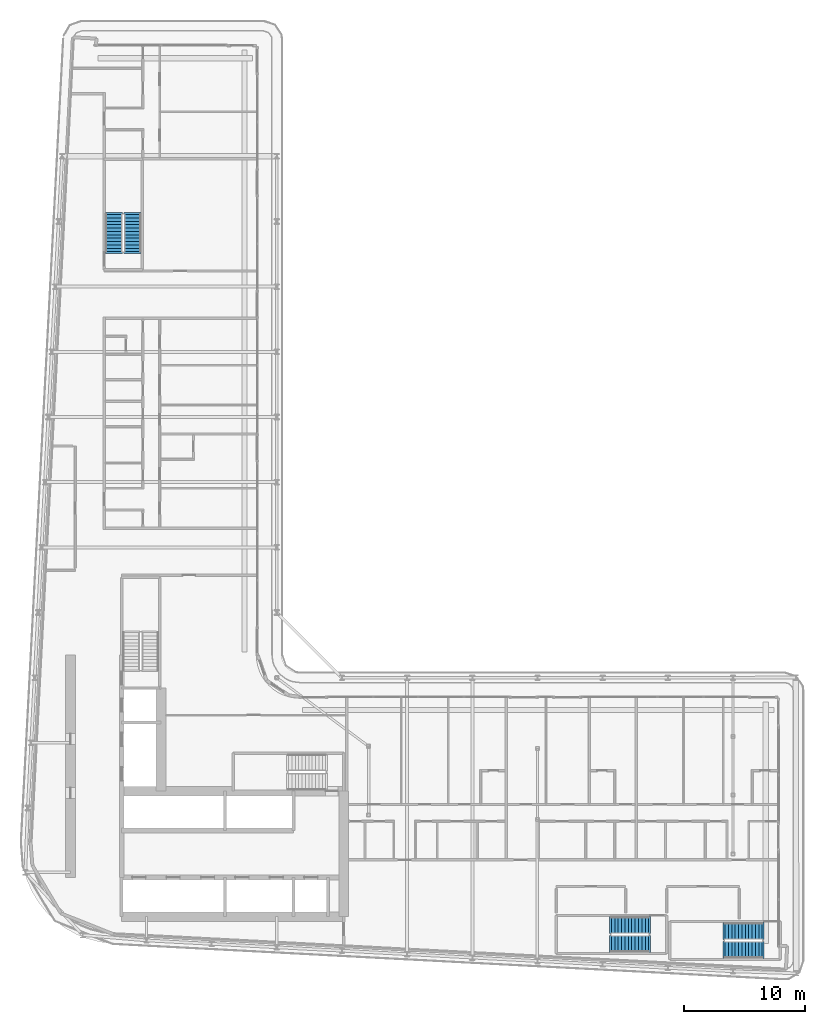
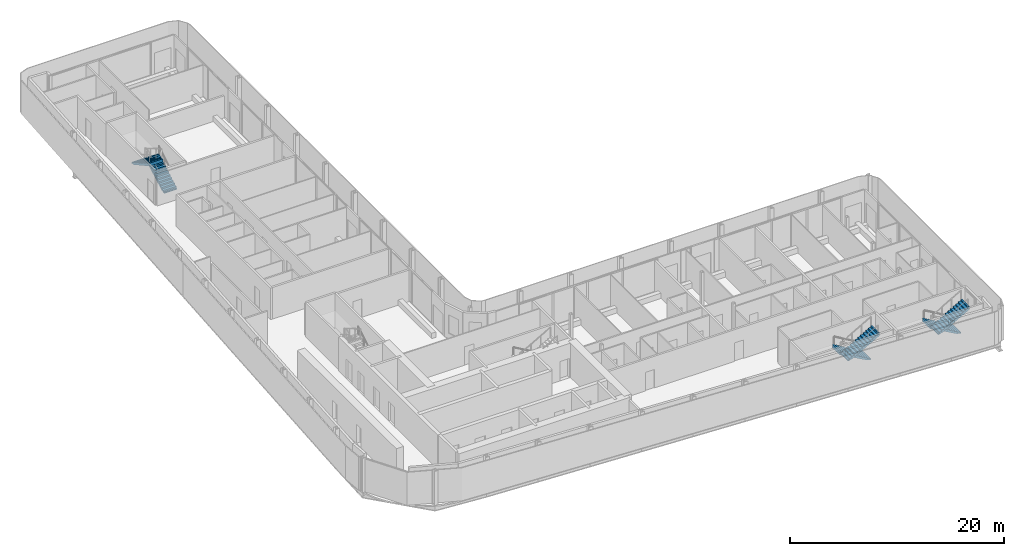
# One storey, part 17 of 24: 6 stair flights, 3 elements without a shape of their own.
"""IFC4 building model written with IfcOpenShell, lengths in metres."""

import ifcopenshell
import ifcopenshell.guid

model = None  # the IFC model being written
_history = None  # IfcOwnerHistory: only IFC2X3 demands one
_inside = {}  # id of a spatial element -> (the spatial element, [elements in it])
_under = {}  # id of a project, library or spatial element -> (it, [spatial elements below it])
_declared = {}  # id of a project -> (the project, [libraries it declares])
_typed = {}  # id of a type object -> (the type object, [elements of that type])
_made_of = {}  # id of a material, layer set ... -> (it, [elements and type objects made of it])


def new_model(schema):
    """Start an empty IFC model of exactly this schema.

    Asked for "IFC4X3", IfcOpenShell would pick the latest addendum, in which some entities
    have other attributes; the version numbers below select the first issue.
    IFC2X3 requires an IfcOwnerHistory on every rooted entity: one is made here for all.
    """
    global model, _history
    if schema == "IFC4X3":
        model = ifcopenshell.file(schema_version=(4, 3, 0, 0))
    else:
        model = ifcopenshell.file(schema=schema)
    _inside.clear()
    _under.clear()
    _declared.clear()
    _typed.clear()
    _made_of.clear()
    _history = None
    if model.schema == "IFC2X3":
        org = make("IfcOrganization", Name="unknown")
        user = make(
            "IfcPersonAndOrganization",
            ThePerson=make("IfcPerson", FamilyName="unknown"),
            TheOrganization=org,
        )
        app = make(
            "IfcApplication",
            ApplicationDeveloper=org,
            Version="unknown",
            ApplicationFullName="unknown",
            ApplicationIdentifier="unknown",
        )
        _history = make(
            "IfcOwnerHistory",
            OwningUser=user,
            OwningApplication=app,
            ChangeAction="ADDED",
            CreationDate=0,
        )
    return model


def make(cls, **values):
    """One entity of the class cls with the attributes given. An attribute that is None is left unset."""
    return model.create_entity(
        cls, **{name: value for name, value in values.items() if value is not None}
    )


def rooted(cls, **values):
    """An entity with a GlobalId (a new one), such as an element, a storey or a relation."""
    return make(cls, GlobalId=ifcopenshell.guid.new(), OwnerHistory=_history, **values)


def si_unit(unit_type, name, prefix=None):
    """IfcSIUnit, for example si_unit("LENGTHUNIT", "METRE", prefix="MILLI")."""
    return make("IfcSIUnit", UnitType=unit_type, Prefix=prefix, Name=name)


def assignment(units):
    """IfcUnitAssignment: the units of a project."""
    return None if units is None else make("IfcUnitAssignment", Units=units)


def point(xyz):
    """IfcCartesianPoint."""
    return None if xyz is None else make("IfcCartesianPoint", Coordinates=xyz)


def direction(xyz):
    """IfcDirection."""
    return None if xyz is None else make("IfcDirection", DirectionRatios=xyz)


def frame(location, z_axis=None, x_axis=None):
    """IfcAxis2Placement3D, a coordinate frame: its origin and axes. An axis left out is left unset."""
    return make(
        "IfcAxis2Placement3D",
        Location=point(location),
        Axis=direction(z_axis),
        RefDirection=direction(x_axis),
    )


def origin():
    """The frame at (0, 0, 0) with its axes left unset."""
    return frame((0.0, 0.0, 0.0))


def place(relative_to, where):
    """IfcLocalPlacement: puts the frame where relative to a parent placement (None: the world)."""
    return make(
        "IfcLocalPlacement", PlacementRelTo=relative_to, RelativePlacement=where
    )


def context(
    kind, dimensions, precision=None, world=None, true_north=None, identifier=None
):
    """IfcGeometricRepresentationContext, for example the 3D "Model" context."""
    return make(
        "IfcGeometricRepresentationContext",
        ContextIdentifier=identifier,
        ContextType=kind,
        CoordinateSpaceDimension=dimensions,
        Precision=precision,
        WorldCoordinateSystem=world,
        TrueNorth=true_north,
    )


def subcontext(parent, identifier, kind, view, scale=None):
    """IfcGeometricRepresentationSubContext, for example "Body" below "Model"."""
    return make(
        "IfcGeometricRepresentationSubContext",
        ContextIdentifier=identifier,
        ContextType=kind,
        ParentContext=parent,
        TargetScale=scale,
        TargetView=view,
    )


def project(units=None, contexts=None):
    """IfcProject with its units and contexts."""
    return rooted(
        "IfcProject",
        Name="project",
        RepresentationContexts=contexts,
        UnitsInContext=assignment(units),
    )


def spatial(cls, under=None, at=None, **own):
    """A site, building, storey or space (cls), placed at a placement, below another one or the project."""
    s = rooted(cls, ObjectPlacement=at, **own)
    if under is not None:
        _under.setdefault(under.id(), (under, []))[1].append(s)
    return s


def polyline(points):
    """IfcPolyline through the points."""
    return make("IfcPolyline", Points=[point(p) for p in points])


def outline(outer, holes=None, kind="AREA"):
    """IfcArbitraryClosedProfileDef: a profile drawn as a closed curve; with holes, ...WithVoids."""
    if holes is None:
        return make("IfcArbitraryClosedProfileDef", ProfileType=kind, OuterCurve=outer)
    return make(
        "IfcArbitraryProfileDefWithVoids",
        ProfileType=kind,
        OuterCurve=outer,
        InnerCurves=holes,
    )


def extrude(swept, where, along, depth):
    """IfcExtrudedAreaSolid: the profile swept, set in the frame where, extruded along a direction by depth."""
    return make(
        "IfcExtrudedAreaSolid",
        SweptArea=swept,
        Position=where,
        ExtrudedDirection=direction(along),
        Depth=depth,
    )


def shape(context_of_items, identifier, shape_type, items):
    """IfcShapeRepresentation: the items that make up one representation, for example the "Body"."""
    return make(
        "IfcShapeRepresentation",
        ContextOfItems=context_of_items,
        RepresentationIdentifier=identifier,
        RepresentationType=shape_type,
        Items=items,
    )


def material(Name=None, Category=None):
    """IfcMaterial."""
    return make("IfcMaterial", Name=Name, Category=Category)


def layer(
    of_material, thickness, ventilated=None, Name=None, Category=None, Priority=None
):
    """IfcMaterialLayer: one layer of a wall or slab, of a material (None: an air gap)."""
    return make(
        "IfcMaterialLayer",
        Material=of_material,
        LayerThickness=thickness,
        IsVentilated=ventilated,
        Name=Name,
        Category=Category,
        Priority=Priority,
    )


def layer_set(layers, Name=None):
    """IfcMaterialLayerSet."""
    return make("IfcMaterialLayerSet", MaterialLayers=layers, LayerSetName=Name)


def made_of(thing, what):
    """Note that an element or type object is made of a material, layer set ...; save() writes the relation."""
    if what is not None:
        _made_of.setdefault(what.id(), (what, []))[1].append(thing)
    return thing


def type_object(cls, material=None, **own):
    """A type object (cls), such as IfcWallType, which elements share."""
    return made_of(rooted(cls, **own), material)


def element(
    cls,
    number,
    at=None,
    inside=None,
    cuts=None,
    type_object=None,
    material=None,
    context=None,
    identifier="Body",
    shape_type=None,
    held_by="IfcProductDefinitionShape",
    body=None,
    shapes=None,
    **own,
):
    """One element of the class cls, such as IfcWall. Its Tag is "e" and its number.

    at: its placement. inside: the storey or other place that contains it. cuts: it is an
    opening in that element (IfcRelVoidsElement). A single representation is given by context,
    identifier, shape_type and body (its items); several are given by shapes. held_by: the class
    of the entity that holds the representations. save() writes the other relations.
    """
    e = rooted(cls, Tag="e%d" % number, ObjectPlacement=at, **own)
    if body is not None:
        shapes = [shape(context, identifier, shape_type, body)]
    if shapes is not None:
        e.Representation = make(held_by, Representations=shapes)
    if inside is not None:
        _inside.setdefault(inside.id(), (inside, []))[1].append(e)
    if cuts is not None:
        rooted(
            "IfcRelVoidsElement", RelatingBuildingElement=cuts, RelatedOpeningElement=e
        )
    if type_object is not None:
        _typed.setdefault(type_object.id(), (type_object, []))[1].append(e)
    return made_of(e, material)


def aggregate(whole, parts):
    """IfcRelAggregates: a whole, such as a stair, and the parts it consists of."""
    return rooted("IfcRelAggregates", RelatingObject=whole, RelatedObjects=parts)


def save(model, path):
    """Write the relations noted so far, then the file.

    IfcRelAggregates (storeys below a building ...), IfcRelContainedInSpatialStructure (elements
    in a storey), IfcRelDefinesByType, IfcRelAssociatesMaterial and IfcRelDeclares: one each for
    every whole, place, type object, material and project.
    """
    for whole, parts in _under.values():
        aggregate(whole, parts)
    for where, things in _inside.values():
        rooted(
            "IfcRelContainedInSpatialStructure",
            RelatedElements=things,
            RelatingStructure=where,
        )
    for kind, things in _typed.values():
        rooted("IfcRelDefinesByType", RelatedObjects=things, RelatingType=kind)
    for what, things in _made_of.values():
        rooted("IfcRelAssociatesMaterial", RelatedObjects=things, RelatingMaterial=what)
    for by, libraries in _declared.values():
        rooted("IfcRelDeclares", RelatingContext=by, RelatedDefinitions=libraries)
    model.write(path)


model = new_model("IFC4")

# Units and contexts
model_context = context("Model", 3, precision=1e-05, world=origin(), true_north=direction((0.0, 1.0)))
body_context = subcontext(model_context, "Body", "Model", "MODEL_VIEW")
ifc_project = project(units=[si_unit("LENGTHUNIT", "METRE"), si_unit("AREAUNIT", "SQUARE_METRE"), si_unit("VOLUMEUNIT", "CUBIC_METRE"), si_unit("PLANEANGLEUNIT", "RADIAN"), si_unit("MASSUNIT", "GRAM", prefix="KILO")], contexts=[model_context])

# Site, building, storey
site_placement = place(None, origin())
site = spatial("IfcSite", under=ifc_project, at=site_placement, CompositionType="ELEMENT")
building_placement = place(site_placement, origin())
building = spatial("IfcBuilding", under=site, at=building_placement, Name="Kheshtan School and Residences Tower", CompositionType="ELEMENT")
storey_placement = place(building_placement, frame((0.0, 0.0, 160.39990234375)))
storey = spatial("IfcBuildingStorey", under=building, at=storey_placement, Name="L37", CompositionType="ELEMENT", Elevation=160.39990234375)

# Stair, stair flights
ifc_material = material(Name="Concrete C40/50", Category="concrete")
stair_type = type_object("IfcStairType", Name="Exit stair, half-turn", PredefinedType="HALF_TURN_STAIR", material=ifc_material)
stair_1_placement = place(storey_placement, origin())
stair_1 = element("IfcStair", 1, at=stair_1_placement, inside=storey, type_object=stair_type, Name="L37 Protected Exit Stair ST3", PredefinedType="HALF_TURN_STAIR")
ifc_layer = layer(ifc_material, 0.14990234375)
ifc_layer_set = layer_set([ifc_layer], Name="Stair flight 1400 Concrete C40/50")
stair_flight_type = type_object("IfcStairFlightType", Name="Stair flight 1400 Concrete C40/50", PredefinedType="STRAIGHT", material=ifc_layer_set)
stair_flight_1_placement = place(storey_placement, frame((35.64990234375, 80.89990234375, 0.0), z_axis=(0.0, 0.0, 1.0), x_axis=(0.0, 1.0, 0.0)))
stair_flight_1 = element("IfcStairFlight", 2, at=stair_flight_1_placement, type_object=stair_flight_type, Name="ST3 flight 1", NumberOfRisers=12, NumberOfTreads=11, PredefinedType="STRAIGHT", RiserHeight=0.1625, TreadLength=0.28, context=body_context, shape_type="SweptSolid", body=[
    extrude(outline(polyline([(-0.14990234375, -0.10009765625), (-0.14990234375, 0.0), (0.0, 0.0), (0.0, 0.16259765625), (0.280029296875, 0.16259765625), (0.280029296875, 0.324951171875), (0.56005859375, 0.324951171875), (0.56005859375, 0.487548828125), (0.840087890625, 0.487548828125), (0.840087890625, 0.64990234375), (1.1201171875, 0.64990234375), (1.1201171875, 0.8125), (1.39990234375, 0.8125), (1.39990234375, 0.97509765625), (1.679931640625, 0.97509765625), (1.679931640625, 1.137451171875), (1.9599609375, 1.137451171875), (1.9599609375, 1.300048828125), (2.239990234375, 1.300048828125), (2.239990234375, 1.46240234375), (2.52001953125, 1.46240234375), (2.52001953125, 1.625), (2.800048828125, 1.625), (2.800048828125, 1.78759765625), (3.080078125, 1.78759765625), (3.080078125, 1.949951171875), (3.080078125, 1.969970703125), (3.22998046875, 1.969970703125), (3.22998046875, 1.6142578125), (0.298583984375, 0.0), (-0.14990234375, -0.10009765625)])), frame((0.0, 0.699951171875, 0.0), z_axis=(0.0, -1.0, 0.0), x_axis=(1.0, 0.0, 0.0)), (0.0, 0.0, 1.0), 1.39990234375),
])
stair_flight_2_placement = place(storey_placement, frame((34.10009765625, 83.97998046875, 1.9501953125), z_axis=(0.0, 0.0, 1.0), x_axis=(0.0, -1.0, 0.0)))
stair_flight_2 = element("IfcStairFlight", 3, at=stair_flight_2_placement, type_object=stair_flight_type, Name="ST3 flight 2", NumberOfRisers=12, NumberOfTreads=11, PredefinedType="STRAIGHT", RiserHeight=0.1625, TreadLength=0.28, context=body_context, shape_type="SweptSolid", body=[
    extrude(outline(polyline([(-0.14990234375, -0.10009765625), (-0.14990234375, 0.0), (0.0, 0.0), (0.0, 0.16259765625), (0.280029296875, 0.16259765625), (0.280029296875, 0.324951171875), (0.56005859375, 0.324951171875), (0.56005859375, 0.487548828125), (0.840087890625, 0.487548828125), (0.840087890625, 0.64990234375), (1.1201171875, 0.64990234375), (1.1201171875, 0.8125), (1.39990234375, 0.8125), (1.39990234375, 0.97509765625), (1.679931640625, 0.97509765625), (1.679931640625, 1.137451171875), (1.9599609375, 1.137451171875), (1.9599609375, 1.300048828125), (2.239990234375, 1.300048828125), (2.239990234375, 1.46240234375), (2.52001953125, 1.46240234375), (2.52001953125, 1.625), (2.800048828125, 1.625), (2.800048828125, 1.78759765625), (3.080078125, 1.78759765625), (3.080078125, 1.949951171875), (3.080078125, 1.969970703125), (3.22998046875, 1.969970703125), (3.22998046875, 1.6142578125), (0.298583984375, 0.0), (-0.14990234375, -0.10009765625)])), frame((0.0, 0.699951171875, 0.0), z_axis=(0.0, -1.0, 0.0), x_axis=(1.0, 0.0, 0.0)), (0.0, 0.0, 1.0), 1.39990234375),
])
aggregate(stair_1, [stair_flight_1, stair_flight_2])

stair_2_placement = place(storey_placement, origin())
stair_2 = element("IfcStair", 4, at=stair_2_placement, inside=storey, type_object=stair_type, Name="L37 Protected Exit Stair ST4", PredefinedType="HALF_TURN_STAIR")
stair_flight_3_placement = place(storey_placement, frame((87.820068359375, 24.60009765625, 0.0), z_axis=(0.0, 0.0, 1.0), x_axis=(-1.0, 0.0, 0.0)))
stair_flight_3 = element("IfcStairFlight", 5, at=stair_flight_3_placement, type_object=stair_flight_type, Name="ST4 flight 1", NumberOfRisers=12, NumberOfTreads=11, PredefinedType="STRAIGHT", RiserHeight=0.1625, TreadLength=0.28, context=body_context, shape_type="SweptSolid", body=[
    extrude(outline(polyline([(-0.14990234375, -0.10009765625), (-0.14990234375, 0.0), (0.0, 0.0), (0.0, 0.16259765625), (0.280029296875, 0.16259765625), (0.280029296875, 0.324951171875), (0.56005859375, 0.324951171875), (0.56005859375, 0.487548828125), (0.840087890625, 0.487548828125), (0.840087890625, 0.64990234375), (1.1201171875, 0.64990234375), (1.1201171875, 0.8125), (1.39990234375, 0.8125), (1.39990234375, 0.97509765625), (1.679931640625, 0.97509765625), (1.679931640625, 1.137451171875), (1.9599609375, 1.137451171875), (1.9599609375, 1.300048828125), (2.239990234375, 1.300048828125), (2.239990234375, 1.46240234375), (2.52001953125, 1.46240234375), (2.52001953125, 1.625), (2.800048828125, 1.625), (2.800048828125, 1.78759765625), (3.080078125, 1.78759765625), (3.080078125, 1.949951171875), (3.080078125, 1.969970703125), (3.22998046875, 1.969970703125), (3.22998046875, 1.6142578125), (0.298583984375, 0.0), (-0.14990234375, -0.10009765625)])), frame((0.0, 0.699951171875, 0.0), z_axis=(0.0, -1.0, 0.0), x_axis=(1.0, 0.0, 0.0)), (0.0, 0.0, 1.0), 1.39990234375),
])
stair_flight_4_placement = place(storey_placement, frame((84.739990234375, 23.050048828125, 1.9501953125), z_axis=(0.0, 0.0, 1.0), x_axis=(1.0, 0.0, 0.0)))
stair_flight_4 = element("IfcStairFlight", 6, at=stair_flight_4_placement, type_object=stair_flight_type, Name="ST4 flight 2", NumberOfRisers=12, NumberOfTreads=11, PredefinedType="STRAIGHT", RiserHeight=0.1625, TreadLength=0.28, context=body_context, shape_type="SweptSolid", body=[
    extrude(outline(polyline([(-0.14990234375, -0.10009765625), (-0.14990234375, 0.0), (0.0, 0.0), (0.0, 0.16259765625), (0.280029296875, 0.16259765625), (0.280029296875, 0.324951171875), (0.56005859375, 0.324951171875), (0.56005859375, 0.487548828125), (0.840087890625, 0.487548828125), (0.840087890625, 0.64990234375), (1.1201171875, 0.64990234375), (1.1201171875, 0.8125), (1.39990234375, 0.8125), (1.39990234375, 0.97509765625), (1.679931640625, 0.97509765625), (1.679931640625, 1.137451171875), (1.9599609375, 1.137451171875), (1.9599609375, 1.300048828125), (2.239990234375, 1.300048828125), (2.239990234375, 1.46240234375), (2.52001953125, 1.46240234375), (2.52001953125, 1.625), (2.800048828125, 1.625), (2.800048828125, 1.78759765625), (3.080078125, 1.78759765625), (3.080078125, 1.949951171875), (3.080078125, 1.969970703125), (3.22998046875, 1.969970703125), (3.22998046875, 1.6142578125), (0.298583984375, 0.0), (-0.14990234375, -0.10009765625)])), frame((0.0, 0.699951171875, 0.0), z_axis=(0.0, -1.0, 0.0), x_axis=(1.0, 0.0, 0.0)), (0.0, 0.0, 1.0), 1.39990234375),
])
aggregate(stair_2, [stair_flight_3, stair_flight_4])

stair_3_placement = place(storey_placement, origin())
stair_3 = element("IfcStair", 7, at=stair_3_placement, inside=storey, type_object=stair_type, Name="L37 Protected Exit Stair ST5", PredefinedType="HALF_TURN_STAIR")
stair_flight_5_placement = place(storey_placement, frame((78.409912109375, 25.10009765625, 0.0), z_axis=(0.0, 0.0, 1.0), x_axis=(-1.0, 0.0, 0.0)))
stair_flight_5 = element("IfcStairFlight", 8, at=stair_flight_5_placement, type_object=stair_flight_type, Name="ST5 flight 1", NumberOfRisers=12, NumberOfTreads=11, PredefinedType="STRAIGHT", RiserHeight=0.1625, TreadLength=0.28, context=body_context, shape_type="SweptSolid", body=[
    extrude(outline(polyline([(-0.14990234375, -0.10009765625), (-0.14990234375, 0.0), (0.0, 0.0), (0.0, 0.16259765625), (0.280029296875, 0.16259765625), (0.280029296875, 0.324951171875), (0.56005859375, 0.324951171875), (0.56005859375, 0.487548828125), (0.840087890625, 0.487548828125), (0.840087890625, 0.64990234375), (1.1201171875, 0.64990234375), (1.1201171875, 0.8125), (1.39990234375, 0.8125), (1.39990234375, 0.97509765625), (1.679931640625, 0.97509765625), (1.679931640625, 1.137451171875), (1.9599609375, 1.137451171875), (1.9599609375, 1.300048828125), (2.239990234375, 1.300048828125), (2.239990234375, 1.46240234375), (2.52001953125, 1.46240234375), (2.52001953125, 1.625), (2.800048828125, 1.625), (2.800048828125, 1.78759765625), (3.080078125, 1.78759765625), (3.080078125, 1.949951171875), (3.080078125, 1.969970703125), (3.22998046875, 1.969970703125), (3.22998046875, 1.6142578125), (0.298583984375, 0.0), (-0.14990234375, -0.10009765625)])), frame((0.0, 0.699951171875, 0.0), z_axis=(0.0, -1.0, 0.0), x_axis=(1.0, 0.0, 0.0)), (0.0, 0.0, 1.0), 1.39990234375),
])
stair_flight_6_placement = place(storey_placement, frame((75.330078125, 23.550048828125, 1.9501953125), z_axis=(0.0, 0.0, 1.0), x_axis=(1.0, 0.0, 0.0)))
stair_flight_6 = element("IfcStairFlight", 9, at=stair_flight_6_placement, type_object=stair_flight_type, Name="ST5 flight 2", NumberOfRisers=12, NumberOfTreads=11, PredefinedType="STRAIGHT", RiserHeight=0.1625, TreadLength=0.28, context=body_context, shape_type="SweptSolid", body=[
    extrude(outline(polyline([(-0.14990234375, -0.10009765625), (-0.14990234375, 0.0), (0.0, 0.0), (0.0, 0.16259765625), (0.280029296875, 0.16259765625), (0.280029296875, 0.324951171875), (0.56005859375, 0.324951171875), (0.56005859375, 0.487548828125), (0.840087890625, 0.487548828125), (0.840087890625, 0.64990234375), (1.1201171875, 0.64990234375), (1.1201171875, 0.8125), (1.39990234375, 0.8125), (1.39990234375, 0.97509765625), (1.679931640625, 0.97509765625), (1.679931640625, 1.137451171875), (1.9599609375, 1.137451171875), (1.9599609375, 1.300048828125), (2.239990234375, 1.300048828125), (2.239990234375, 1.46240234375), (2.52001953125, 1.46240234375), (2.52001953125, 1.625), (2.800048828125, 1.625), (2.800048828125, 1.78759765625), (3.080078125, 1.78759765625), (3.080078125, 1.949951171875), (3.080078125, 1.969970703125), (3.22998046875, 1.969970703125), (3.22998046875, 1.6142578125), (0.298583984375, 0.0), (-0.14990234375, -0.10009765625)])), frame((0.0, 0.699951171875, 0.0), z_axis=(0.0, -1.0, 0.0), x_axis=(1.0, 0.0, 0.0)), (0.0, 0.0, 1.0), 1.39990234375),
])
aggregate(stair_3, [stair_flight_5, stair_flight_6])

save(model, "model.ifc")
